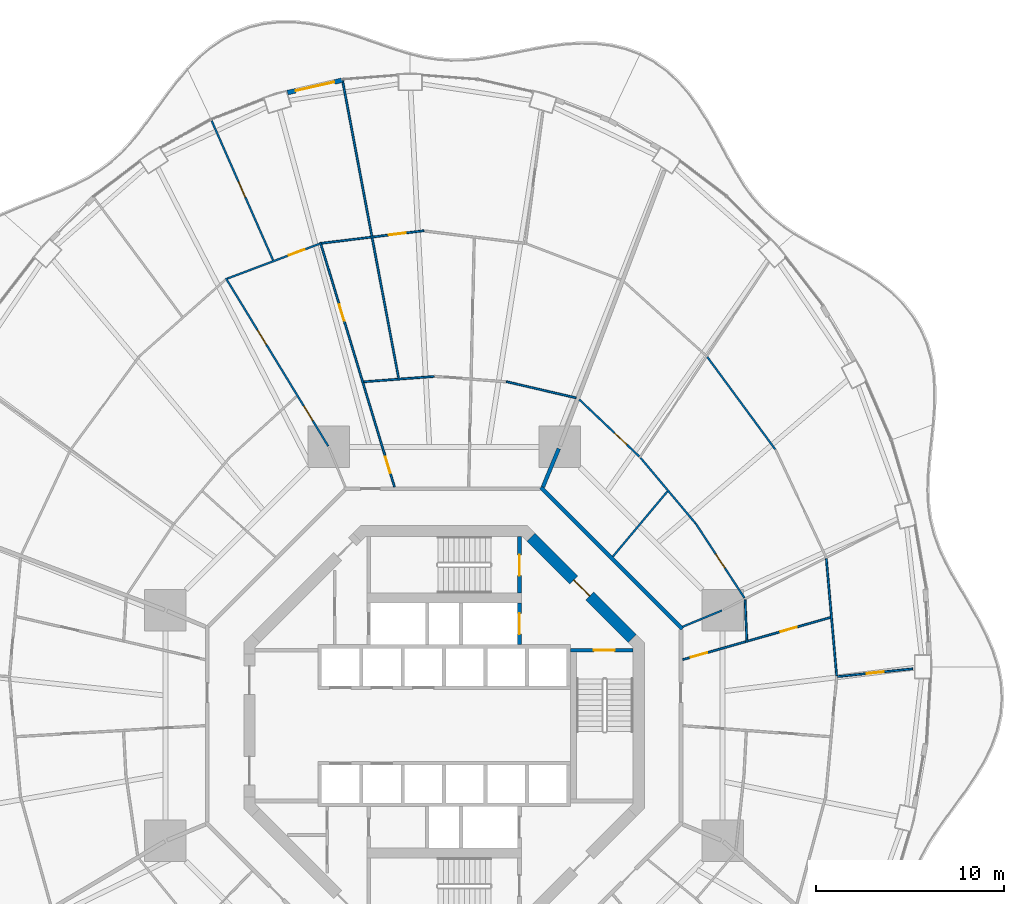
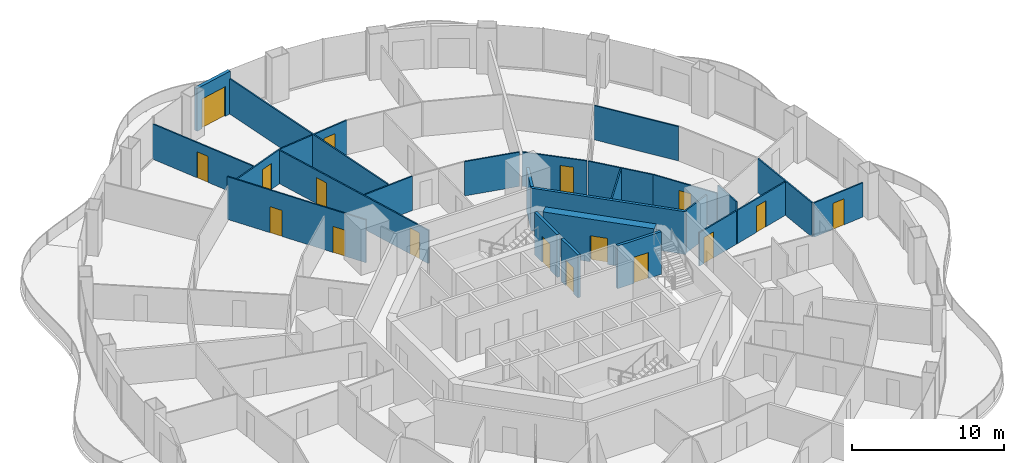
# One storey, part 18 of 22: 25 walls, 17 doors, 17 openings.
"""IFC4 building model written with IfcOpenShell, lengths in metres."""

from ifc_helpers import new_model, si_unit, direction, frame, frame_2d, origin, place, context, subcontext, project, spatial, rectangle, extrude, material, layer, layer_set, type_object, element, fill, save


model = new_model("IFC4")

# Units and contexts
model_context = context("Model", 3, precision=1e-05, world=origin(), true_north=direction((0.0, 1.0)))
body_context = subcontext(model_context, "Body", "Model", "MODEL_VIEW")
ifc_project = project(units=[si_unit("LENGTHUNIT", "METRE"), si_unit("AREAUNIT", "SQUARE_METRE"), si_unit("VOLUMEUNIT", "CUBIC_METRE"), si_unit("PLANEANGLEUNIT", "RADIAN"), si_unit("MASSUNIT", "GRAM", prefix="KILO")], contexts=[model_context])

# Site, building, storey
site_placement = place(None, origin())
site = spatial("IfcSite", under=ifc_project, at=site_placement, CompositionType="ELEMENT")
building_placement = place(site_placement, origin())
building = spatial("IfcBuilding", under=site, at=building_placement, Name="Nagisa Residences", CompositionType="ELEMENT")
storey_placement = place(building_placement, frame((0.0, 0.0, 88.10009765625)))
storey = spatial("IfcBuildingStorey", under=building, at=storey_placement, Name="L21", CompositionType="ELEMENT", Elevation=88.10009765625)

# Walls
ifc_material_1 = material(Name="Gypsum board on steel studs", Category="steel")
ifc_layer_1 = layer(ifc_material_1, 0.199951171875)
ifc_layer_set_1 = layer_set([ifc_layer_1], Name="Apartment compartment wall EI60 200")
wall_type_1 = type_object("IfcWallType", Name="Apartment compartment wall EI60 200", PredefinedType="PARTITIONING", material=ifc_layer_set_1)
wall_1_placement = place(storey_placement, frame((5.24267578125, 12.6572265625, 0.0), z_axis=(0.0, 0.0, 1.0), x_axis=(0.382724096228, 0.923862687939, 0.0)))
element("IfcWall", 1, at=wall_1_placement, inside=storey, type_object=wall_type_1, Name="wall:L21:u00", PredefinedType="PARTITIONING", context=body_context, shape_type="SweptSolid", body=[
    extrude(rectangle(XDim=2.20068359375, YDim=0.199951171875, at=frame_2d((1.100341796875, 0.0))), origin(), (0.0, 0.0, 1.0), 3.43994140625),
])
ifc_material_2 = material(Name="Gypsum board on steel studs", Category="steel")
ifc_layer_2 = layer(ifc_material_2, 0.199951171875)
ifc_layer_set_2 = layer_set([ifc_layer_2], Name="Apartment entry wall EI60 200")
wall_type_2 = type_object("IfcWallType", Name="Apartment entry wall EI60 200", PredefinedType="PARTITIONING", material=ifc_layer_set_2)
wall_2_placement = place(storey_placement, frame((12.635498046875, 5.1337890625, 0.0), z_axis=(0.0, 0.0, 1.0), x_axis=(-0.707106781187, 0.707106781187, 0.0)))
element("IfcWall", 2, at=wall_2_placement, inside=storey, type_object=wall_type_2, Name="wall:L21:u11", PredefinedType="PARTITIONING", context=body_context, shape_type="SweptSolid", body=[
    extrude(rectangle(XDim=10.609130859375, YDim=0.199951171875, at=frame_2d((5.3046875, 0.0))), origin(), (0.0, 0.0, 1.0), 3.43994140625),
])

# Wall, opening, door
ifc_material_3 = material(Name="Gypsum board on steel studs", Category="steel")
ifc_layer_3 = layer(ifc_material_3, 0.10009765625)
ifc_layer_set_3 = layer_set([ifc_layer_3], Name="Apartment partition 100")
wall_type_3 = type_object("IfcWallType", Name="Apartment partition 100", PredefinedType="PARTITIONING", material=ifc_layer_set_3)
wall_3_placement = place(storey_placement, frame((20.879150390625, 2.597412109375, 0.0), z_axis=(0.0, 0.0, 1.0), x_axis=(0.994666546694, 0.103142914868, 0.0)))
wall_3 = element("IfcWall", 3, at=wall_3_placement, inside=storey, type_object=wall_type_3, Name="wall:L21:u18", PredefinedType="PARTITIONING", context=body_context, shape_type="SweptSolid", body=[
    extrude(rectangle(XDim=3.997802734375, YDim=0.10009765625, at=frame_2d((1.9990234375, 0.0))), origin(), (0.0, 0.0, 1.0), 2.761962890625),
])
opening_1_placement = place(wall_3_placement, frame((1.548828125, 0.0, 0.0)))
opening_1 = element("IfcOpeningElement", 4, at=opening_1_placement, cuts=wall_3, Name="Opening L21-U50", PredefinedType="OPENING", context=body_context, shape_type="SweptSolid", body=[
    extrude(rectangle(XDim=0.89990234375, YDim=2.10009765625, at=frame_2d((0.449951171875, 1.050048828125))), frame((0.0, 0.06005859375, 0.0), z_axis=(0.0, -1.0, 0.0), x_axis=(1.0, 0.0, 0.0)), (0.0, 0.0, 1.0), 0.1201171875),
])
ifc_material_4 = material(Name="Timber door set", Category="wood")
door_type_1 = type_object("IfcDoorType", Name="Apartment door 900x2100", OperationType="NOTDEFINED", PredefinedType="DOOR", material=ifc_material_4)
door_1_placement = place(opening_1_placement, origin())
door_1 = element("IfcDoor", 5, at=door_1_placement, inside=storey, type_object=door_type_1, Name="Door to bedroom, Apartment 21E", OperationType="SINGLE_SWING_RIGHT", OverallHeight=2.10009765625, OverallWidth=0.89990234375, PredefinedType="DOOR", context=body_context, shape_type="SweptSolid", body=[
    extrude(rectangle(XDim=0.89990234375, YDim=2.10009765625, at=frame_2d((0.449951171875, 1.050048828125))), frame((0.0, 0.02490234375, 0.0), z_axis=(0.0, -1.0, 0.0), x_axis=(1.0, 0.0, 0.0)), (0.0, 0.0, 1.0), 0.050048828125),
])
fill(opening_1, door_1)

# Wall
wall_4_placement = place(storey_placement, frame((20.8251953125, 2.64208984375, 0.0), z_axis=(0.0, 0.0, 1.0), x_axis=(-0.08776129045, 0.99614153407, 0.0)))
element("IfcWall", 6, at=wall_4_placement, inside=storey, type_object=wall_type_3, Name="wall:L21:u19", PredefinedType="PARTITIONING", context=body_context, shape_type="SweptSolid", body=[
    extrude(rectangle(XDim=6.237060546875, YDim=0.10009765625, at=frame_2d((3.11865234375, 0.0))), origin(), (0.0, 0.0, 1.0), 2.761962890625),
])

# Wall, openings, doors
wall_5_placement = place(storey_placement, frame((12.660888671875, 3.4970703125, 0.0), z_axis=(0.0, 0.0, 1.0), x_axis=(0.961626678623, 0.274361314621, 0.0)))
wall_5 = element("IfcWall", 7, at=wall_5_placement, inside=storey, type_object=wall_type_3, Name="wall:L21:u21", PredefinedType="PARTITIONING", context=body_context, shape_type="SweptSolid", body=[
    extrude(rectangle(XDim=8.155517578125, YDim=0.10009765625, at=frame_2d((4.07763671875, 0.0))), origin(), (0.0, 0.0, 1.0), 2.68701171875),
])
opening_2_placement = place(wall_5_placement, frame((0.4462890625, 0.0, 0.0)))
opening_2 = element("IfcOpeningElement", 8, at=opening_2_placement, cuts=wall_5, Name="Opening L21-U46", PredefinedType="OPENING", context=body_context, shape_type="SweptSolid", body=[
    extrude(rectangle(XDim=0.89990234375, YDim=2.10009765625, at=frame_2d((0.449951171875, 1.050048828125))), frame((0.0, 0.06005859375, 0.0), z_axis=(0.0, -1.0, 0.0), x_axis=(1.0, 0.0, 0.0)), (0.0, 0.0, 1.0), 0.1201171875),
])
opening_3_placement = place(wall_5_placement, frame((5.39013671875, 0.0, 0.0)))
opening_3 = element("IfcOpeningElement", 9, at=opening_3_placement, cuts=wall_5, Name="Opening L21-U48", PredefinedType="OPENING", context=body_context, shape_type="SweptSolid", body=[
    extrude(rectangle(XDim=0.89990234375, YDim=2.10009765625, at=frame_2d((0.449951171875, 1.050048828125))), frame((0.0, 0.06005859375, 0.0), z_axis=(0.0, -1.0, 0.0), x_axis=(1.0, 0.0, 0.0)), (0.0, 0.0, 1.0), 0.1201171875),
])
door_2_placement = place(opening_2_placement, origin())
door_2 = element("IfcDoor", 10, at=door_2_placement, inside=storey, type_object=door_type_1, Name="Door to family bathroom, Apartment 21E", OperationType="SINGLE_SWING_RIGHT", OverallHeight=2.10009765625, OverallWidth=0.89990234375, PredefinedType="DOOR", context=body_context, shape_type="SweptSolid", body=[
    extrude(rectangle(XDim=0.89990234375, YDim=2.10009765625, at=frame_2d((0.449951171875, 1.050048828125))), frame((0.0, 0.02490234375, 0.0), z_axis=(0.0, -1.0, 0.0), x_axis=(1.0, 0.0, 0.0)), (0.0, 0.0, 1.0), 0.050048828125),
])
fill(opening_2, door_2)
door_3_placement = place(opening_3_placement, origin())
door_3 = element("IfcDoor", 11, at=door_3_placement, inside=storey, type_object=door_type_1, Name="Door to family bathroom, Apartment 21E", OperationType="SINGLE_SWING_RIGHT", OverallHeight=2.10009765625, OverallWidth=0.89990234375, PredefinedType="DOOR", context=body_context, shape_type="SweptSolid", body=[
    extrude(rectangle(XDim=0.89990234375, YDim=2.10009765625, at=frame_2d((0.449951171875, 1.050048828125))), frame((0.0, 0.02490234375, 0.0), z_axis=(0.0, -1.0, 0.0), x_axis=(1.0, 0.0, 0.0)), (0.0, 0.0, 1.0), 0.050048828125),
])
fill(opening_3, door_3)

# Walls
wall_6_placement = place(storey_placement, frame((16.064453125, 4.4150390625, 0.0), z_axis=(0.0, 0.0, 1.0), x_axis=(-0.043118325477, 0.999069972528, 0.0)))
element("IfcWall", 12, at=wall_6_placement, inside=storey, type_object=wall_type_3, Name="wall:L21:u22", PredefinedType="PARTITIONING", context=body_context, shape_type="SweptSolid", body=[
    extrude(rectangle(XDim=2.25927734375, YDim=0.10009765625, at=frame_2d((1.129638671875, 0.0))), origin(), (0.0, 0.0, 1.0), 3.43994140625),
])
wall_7_placement = place(storey_placement, frame((12.6572265625, 5.24267578125, 0.0), z_axis=(0.0, 0.0, 1.0), x_axis=(0.923848837015, 0.382757529444, 0.0)))
element("IfcWall", 13, at=wall_7_placement, inside=storey, type_object=wall_type_3, Name="wall:L21:u23", PredefinedType="PARTITIONING", context=body_context, shape_type="SweptSolid", body=[
    extrude(rectangle(XDim=2.249755859375, YDim=0.10009765625, at=frame_2d((1.125, 0.0))), origin(), (0.0, 0.0, 1.0), 3.43994140625),
])

# Wall, opening, door
wall_8_placement = place(storey_placement, frame((15.9375, 6.763916015625, 0.0), z_axis=(0.0, 0.0, 1.0), x_axis=(-0.547472878942, 0.836823426311, 0.0)))
wall_8 = element("IfcWall", 14, at=wall_8_placement, inside=storey, type_object=wall_type_3, Name="wall:L21:u25", PredefinedType="PARTITIONING", context=body_context, shape_type="SweptSolid", body=[
    extrude(rectangle(XDim=4.73779296875, YDim=0.10009765625, at=frame_2d((2.368896484375, 0.0))), origin(), (0.0, 0.0, 1.0), 2.761962890625),
])
opening_4_placement = place(wall_8_placement, frame((1.893798828125, 0.0, 0.0)))
opening_4 = element("IfcOpeningElement", 15, at=opening_4_placement, cuts=wall_8, Name="Opening L21-U55", PredefinedType="OPENING", context=body_context, shape_type="SweptSolid", body=[
    extrude(rectangle(XDim=0.89990234375, YDim=2.10009765625, at=frame_2d((0.449951171875, 1.050048828125))), frame((0.0, 0.06005859375, 0.0), z_axis=(0.0, -1.0, 0.0), x_axis=(1.0, 0.0, 0.0)), (0.0, 0.0, 1.0), 0.1201171875),
])
door_4_placement = place(opening_4_placement, origin())
door_4 = element("IfcDoor", 16, at=door_4_placement, inside=storey, type_object=door_type_1, Name="Door to store, Apartment 21E", OperationType="SINGLE_SWING_LEFT", OverallHeight=2.10009765625, OverallWidth=0.89990234375, PredefinedType="DOOR", context=body_context, shape_type="SweptSolid", body=[
    extrude(rectangle(XDim=0.89990234375, YDim=2.10009765625, at=frame_2d((0.449951171875, 1.050048828125))), frame((0.0, 0.02490234375, 0.0), z_axis=(0.0, -1.0, 0.0), x_axis=(1.0, 0.0, 0.0)), (0.0, 0.0, 1.0), 0.050048828125),
])
fill(opening_4, door_4)

# Walls
wall_9_placement = place(storey_placement, frame((13.339111328125, 10.724853515625, 0.0), z_axis=(0.0, 0.0, 1.0), x_axis=(-0.642515455924, 0.766272724882, 0.0)))
element("IfcWall", 17, at=wall_9_placement, inside=storey, type_object=wall_type_3, Name="wall:L21:u27", PredefinedType="PARTITIONING", context=body_context, shape_type="SweptSolid", body=[
    extrude(rectangle(XDim=4.537353515625, YDim=0.10009765625, at=frame_2d((2.2685546875, 0.0))), origin(), (0.0, 0.0, 1.0), 2.761962890625),
])
wall_10_placement = place(storey_placement, frame((17.567138671875, 14.65283203125, 0.0), z_axis=(0.0, 0.0, 1.0), x_axis=(-0.592391983588, 0.80564988536, 0.0)))
element("IfcWall", 18, at=wall_10_placement, inside=storey, type_object=wall_type_3, Name="wall:L21:u28", PredefinedType="PARTITIONING", context=body_context, shape_type="SweptSolid", body=[
    extrude(rectangle(XDim=6.080078125, YDim=0.10009765625, at=frame_2d((3.0400390625, 0.0))), origin(), (0.0, 0.0, 1.0), 2.761962890625),
])
wall_11_placement = place(storey_placement, frame((8.94873046875, 8.961181640625, 0.0), z_axis=(0.0, 0.0, 1.0), x_axis=(0.642048217601, 0.766664259162, 0.0)))
element("IfcWall", 19, at=wall_11_placement, inside=storey, type_object=wall_type_3, Name="wall:L21:u29", PredefinedType="PARTITIONING", context=body_context, shape_type="SweptSolid", body=[
    extrude(rectangle(XDim=4.517822265625, YDim=0.10009765625, at=frame_2d((2.2587890625, 0.0))), origin(), (0.0, 0.0, 1.0), 2.68701171875),
])

# Wall, opening, door
wall_12_placement = place(storey_placement, frame((10.35546875, 14.274169921875, 0.0), z_axis=(0.0, 0.0, 1.0), x_axis=(-0.725206433622, 0.688531501555, 0.0)))
wall_12 = element("IfcWall", 20, at=wall_12_placement, inside=storey, type_object=wall_type_3, Name="wall:L21:u31", PredefinedType="PARTITIONING", context=body_context, shape_type="SweptSolid", body=[
    extrude(rectangle(XDim=4.386962890625, YDim=0.10009765625, at=frame_2d((2.193359375, 0.0))), origin(), (0.0, 0.0, 1.0), 2.761962890625),
])
opening_5_placement = place(wall_12_placement, frame((0.907470703125, 0.0, 0.0)))
opening_5 = element("IfcOpeningElement", 21, at=opening_5_placement, cuts=wall_12, Name="Opening L21-U56", PredefinedType="OPENING", context=body_context, shape_type="SweptSolid", body=[
    extrude(rectangle(XDim=0.89990234375, YDim=2.10009765625, at=frame_2d((0.449951171875, 1.050048828125))), frame((0.0, 0.06005859375, 0.0), z_axis=(0.0, -1.0, 0.0), x_axis=(1.0, 0.0, 0.0)), (0.0, 0.0, 1.0), 0.1201171875),
])
door_5_placement = place(opening_5_placement, origin())
door_5 = element("IfcDoor", 22, at=door_5_placement, inside=storey, type_object=door_type_1, Name="Door to laundry, Apartment 21E", OperationType="SINGLE_SWING_RIGHT", OverallHeight=2.10009765625, OverallWidth=0.89990234375, PredefinedType="DOOR", context=body_context, shape_type="SweptSolid", body=[
    extrude(rectangle(XDim=0.89990234375, YDim=2.10009765625, at=frame_2d((0.449951171875, 1.050048828125))), frame((0.0, 0.02490234375, 0.0), z_axis=(0.0, -1.0, 0.0), x_axis=(1.0, 0.0, 0.0)), (0.0, 0.0, 1.0), 0.050048828125),
])
fill(opening_5, door_5)

# Walls
wall_13_placement = place(storey_placement, frame((7.004150390625, 17.385986328125, 0.0), z_axis=(0.0, 0.0, 1.0), x_axis=(-0.974179728512, 0.225773905837, 0.0)))
element("IfcWall", 23, at=wall_13_placement, inside=storey, type_object=wall_type_3, Name="wall:L21:u33", PredefinedType="PARTITIONING", context=body_context, shape_type="SweptSolid", body=[
    extrude(rectangle(XDim=3.802001953125, YDim=0.10009765625, at=frame_2d((1.90087890625, 0.0))), origin(), (0.0, 0.0, 1.0), 2.761962890625),
])
wall_14_placement = place(storey_placement, frame((-0.535888671875, 18.519287109375, 0.0), z_axis=(0.0, 0.0, 1.0), x_axis=(-0.99715294352, -0.075405618017, 0.0)))
element("IfcWall", 24, at=wall_14_placement, inside=storey, type_object=wall_type_3, Name="wall:L21:u39", PredefinedType="PARTITIONING", context=body_context, shape_type="SweptSolid", body=[
    extrude(rectangle(XDim=3.74609375, YDim=0.10009765625, at=frame_2d((1.873046875, 0.0))), origin(), (0.0, 0.0, 1.0), 2.761962890625),
])

# Wall, opening, door
wall_15_placement = place(storey_placement, frame((-1.06640625, 26.2529296875, 0.0), z_axis=(0.0, 0.0, 1.0), x_axis=(-0.992574853421, -0.121635358166, 0.0)))
wall_15 = element("IfcWall", 25, at=wall_15_placement, inside=storey, type_object=wall_type_3, Name="wall:L21:u40", PredefinedType="PARTITIONING", context=body_context, shape_type="SweptSolid", body=[
    extrude(rectangle(XDim=5.473388671875, YDim=0.10009765625, at=frame_2d((2.73681640625, 0.0))), origin(), (0.0, 0.0, 1.0), 2.761962890625),
])
opening_6_placement = place(wall_15_placement, frame((0.968505859375, 0.0, 0.0)))
opening_6 = element("IfcOpeningElement", 26, at=opening_6_placement, cuts=wall_15, Name="Opening L21-U09", PredefinedType="OPENING", context=body_context, shape_type="SweptSolid", body=[
    extrude(rectangle(XDim=0.89990234375, YDim=2.10009765625, at=frame_2d((0.449951171875, 1.050048828125))), frame((0.0, 0.06005859375, 0.0), z_axis=(0.0, -1.0, 0.0), x_axis=(1.0, 0.0, 0.0)), (0.0, 0.0, 1.0), 0.1201171875),
])
door_6_placement = place(opening_6_placement, frame((0.89990234375, 0.0, 0.0), x_axis=(-1.0, 0.0, 0.0)))
door_6 = element("IfcDoor", 27, at=door_6_placement, inside=storey, type_object=door_type_1, Name="Door to dining room, Apartment 21A", OperationType="SINGLE_SWING_RIGHT", OverallHeight=2.10009765625, OverallWidth=0.89990234375, PredefinedType="DOOR", context=body_context, shape_type="SweptSolid", body=[
    extrude(rectangle(XDim=0.89990234375, YDim=2.10009765625, at=frame_2d((0.449951171875, 1.050048828125))), frame((0.0, 0.02490234375, 0.0), z_axis=(0.0, -1.0, 0.0), x_axis=(1.0, 0.0, 0.0)), (0.0, 0.0, 1.0), 0.050048828125),
])
fill(opening_6, door_6)

# Wall
wall_16_placement = place(storey_placement, frame((-2.412841796875, 18.42724609375, 0.0), z_axis=(0.0, 0.0, 1.0), x_axis=(-0.185126823719, 0.982714637695, 0.0)))
element("IfcWall", 28, at=wall_16_placement, inside=storey, type_object=wall_type_3, Name="wall:L21:u41", PredefinedType="PARTITIONING", context=body_context, shape_type="SweptSolid", body=[
    extrude(rectangle(XDim=16.176025390625, YDim=0.10009765625, at=frame_2d((8.087890625, 0.0))), origin(), (0.0, 0.0, 1.0), 2.8369140625),
])

# Wall, openings, doors
wall_17_placement = place(storey_placement, frame((-2.63134765625, 12.660400390625, 0.0), z_axis=(0.0, 0.0, 1.0), x_axis=(-0.290161396499, 0.956977723869, 0.0)))
wall_17 = element("IfcWall", 29, at=wall_17_placement, inside=storey, type_object=wall_type_3, Name="wall:L21:u42", PredefinedType="PARTITIONING", context=body_context, shape_type="SweptSolid", body=[
    extrude(rectangle(XDim=13.551513671875, YDim=0.10009765625, at=frame_2d((6.77587890625, 0.0))), origin(), (0.0, 0.0, 1.0), 2.68701171875),
])
opening_7_placement = place(wall_17_placement, frame((0.772216796875, 0.0, 0.0)))
opening_7 = element("IfcOpeningElement", 30, at=opening_7_placement, cuts=wall_17, Name="Opening L21-U02", PredefinedType="OPENING", context=body_context, shape_type="SweptSolid", body=[
    extrude(rectangle(XDim=0.89990234375, YDim=2.10009765625, at=frame_2d((0.449951171875, 1.050048828125))), frame((0.0, 0.06005859375, 0.0), z_axis=(0.0, -1.0, 0.0), x_axis=(1.0, 0.0, 0.0)), (0.0, 0.0, 1.0), 0.1201171875),
])
opening_8_placement = place(wall_17_placement, frame((9.21240234375, 0.0, 0.0)))
opening_8 = element("IfcOpeningElement", 31, at=opening_8_placement, cuts=wall_17, Name="Opening L21-U06", PredefinedType="OPENING", context=body_context, shape_type="SweptSolid", body=[
    extrude(rectangle(XDim=0.89990234375, YDim=2.10009765625, at=frame_2d((0.449951171875, 1.050048828125))), frame((0.0, 0.06005859375, 0.0), z_axis=(0.0, -1.0, 0.0), x_axis=(1.0, 0.0, 0.0)), (0.0, 0.0, 1.0), 0.1201171875),
])
door_7_placement = place(opening_7_placement, frame((0.89990234375, 0.0, 0.0), x_axis=(-1.0, 0.0, 0.0)))
door_7 = element("IfcDoor", 32, at=door_7_placement, inside=storey, type_object=door_type_1, Name="Door to store, Apartment 21A", OperationType="SINGLE_SWING_LEFT", OverallHeight=2.10009765625, OverallWidth=0.89990234375, PredefinedType="DOOR", context=body_context, shape_type="SweptSolid", body=[
    extrude(rectangle(XDim=0.89990234375, YDim=2.10009765625, at=frame_2d((0.449951171875, 1.050048828125))), frame((0.0, 0.02490234375, 0.0), z_axis=(0.0, -1.0, 0.0), x_axis=(1.0, 0.0, 0.0)), (0.0, 0.0, 1.0), 0.050048828125),
])
fill(opening_7, door_7)
door_8_placement = place(opening_8_placement, frame((0.89990234375, 0.0, 0.0), x_axis=(-1.0, 0.0, 0.0)))
door_8 = element("IfcDoor", 33, at=door_8_placement, inside=storey, type_object=door_type_1, Name="Door to family bathroom, Apartment 21A", OperationType="SINGLE_SWING_LEFT", OverallHeight=2.10009765625, OverallWidth=0.89990234375, PredefinedType="DOOR", context=body_context, shape_type="SweptSolid", body=[
    extrude(rectangle(XDim=0.89990234375, YDim=2.10009765625, at=frame_2d((0.449951171875, 1.050048828125))), frame((0.0, 0.02490234375, 0.0), z_axis=(0.0, -1.0, 0.0), x_axis=(1.0, 0.0, 0.0)), (0.0, 0.0, 1.0), 0.050048828125),
])
fill(opening_8, door_8)

# Wall, opening, door
wall_18_placement = place(storey_placement, frame((-6.595703125, 25.5634765625, 0.0), z_axis=(0.0, 0.0, 1.0), x_axis=(-0.9356162121, -0.353018843201, 0.0)))
wall_18 = element("IfcWall", 34, at=wall_18_placement, inside=storey, type_object=wall_type_3, Name="wall:L21:u43", PredefinedType="PARTITIONING", context=body_context, shape_type="SweptSolid", body=[
    extrude(rectangle(XDim=5.2490234375, YDim=0.10009765625, at=frame_2d((2.62451171875, 0.0))), origin(), (0.0, 0.0, 1.0), 2.761962890625),
])
opening_9_placement = place(wall_18_placement, frame((0.8623046875, 0.0, 0.0)))
opening_9 = element("IfcOpeningElement", 35, at=opening_9_placement, cuts=wall_18, Name="Opening L21-U10", PredefinedType="OPENING", context=body_context, shape_type="SweptSolid", body=[
    extrude(rectangle(XDim=0.89990234375, YDim=2.10009765625, at=frame_2d((0.449951171875, 1.050048828125))), frame((0.0, 0.06005859375, 0.0), z_axis=(0.0, -1.0, 0.0), x_axis=(1.0, 0.0, 0.0)), (0.0, 0.0, 1.0), 0.1201171875),
])
door_9_placement = place(opening_9_placement, frame((0.89990234375, 0.0, 0.0), x_axis=(-1.0, 0.0, 0.0)))
door_9 = element("IfcDoor", 36, at=door_9_placement, inside=storey, type_object=door_type_1, Name="Door to living room, Apartment 21A", OperationType="SINGLE_SWING_LEFT", OverallHeight=2.10009765625, OverallWidth=0.89990234375, PredefinedType="DOOR", context=body_context, shape_type="SweptSolid", body=[
    extrude(rectangle(XDim=0.89990234375, YDim=2.10009765625, at=frame_2d((0.449951171875, 1.050048828125))), frame((0.0, 0.02490234375, 0.0), z_axis=(0.0, -1.0, 0.0), x_axis=(1.0, 0.0, 0.0)), (0.0, 0.0, 1.0), 0.050048828125),
])
fill(opening_9, door_9)

wall_19_placement = place(storey_placement, frame((-9.071533203125, 24.682861328125, 0.0), z_axis=(0.0, 0.0, 1.0), x_axis=(-0.403192911159, 0.915115007194, 0.0)))
wall_19 = element("IfcWall", 37, at=wall_19_placement, inside=storey, type_object=wall_type_3, Name="wall:L21:u44", PredefinedType="PARTITIONING", context=body_context, shape_type="SweptSolid", body=[
    extrude(rectangle(XDim=8.21142578125, YDim=0.10009765625, at=frame_2d((4.105712890625, 0.0))), origin(), (0.0, 0.0, 1.0), 2.8369140625),
])
opening_10_placement = place(wall_19_placement, frame((3.65576171875, 0.0, 0.0)))
opening_10 = element("IfcOpeningElement", 38, at=opening_10_placement, cuts=wall_19, Name="Opening L21-U11", PredefinedType="OPENING", context=body_context, shape_type="SweptSolid", body=[
    extrude(rectangle(XDim=0.89990234375, YDim=2.10009765625, at=frame_2d((0.449951171875, 1.050048828125))), frame((0.0, 0.06005859375, 0.0), z_axis=(0.0, -1.0, 0.0), x_axis=(1.0, 0.0, 0.0)), (0.0, 0.0, 1.0), 0.1201171875),
])
door_10_placement = place(opening_10_placement, origin())
door_10 = element("IfcDoor", 39, at=door_10_placement, inside=storey, type_object=door_type_1, Name="Door to master bedroom, Apartment 21A", OperationType="SINGLE_SWING_LEFT", OverallHeight=2.10009765625, OverallWidth=0.89990234375, PredefinedType="DOOR", context=body_context, shape_type="SweptSolid", body=[
    extrude(rectangle(XDim=0.89990234375, YDim=2.10009765625, at=frame_2d((0.449951171875, 1.050048828125))), frame((0.0, 0.02490234375, 0.0), z_axis=(0.0, -1.0, 0.0), x_axis=(1.0, 0.0, 0.0)), (0.0, 0.0, 1.0), 0.050048828125),
])
fill(opening_10, door_10)

# Wall, openings, doors
wall_20_placement = place(storey_placement, frame((-6.14892578125, 14.82470703125, 0.0), z_axis=(0.0, 0.0, 1.0), x_axis=(-0.520411490252, 0.853915616917, 0.0)))
wall_20 = element("IfcWall", 40, at=wall_20_placement, inside=storey, type_object=wall_type_3, Name="wall:L21:u46", PredefinedType="PARTITIONING", context=body_context, shape_type="SweptSolid", body=[
    extrude(rectangle(XDim=10.435302734375, YDim=0.10009765625, at=frame_2d((5.2177734375, 0.0))), origin(), (0.0, 0.0, 1.0), 3.43994140625),
])
opening_11_placement = place(wall_20_placement, frame((1.58154296875, 0.0, 0.0)))
opening_11 = element("IfcOpeningElement", 41, at=opening_11_placement, cuts=wall_20, Name="Opening L21-U03", PredefinedType="OPENING", context=body_context, shape_type="SweptSolid", body=[
    extrude(rectangle(XDim=0.89990234375, YDim=2.10009765625, at=frame_2d((0.449951171875, 1.050048828125))), frame((0.0, 0.06005859375, 0.0), z_axis=(0.0, -1.0, 0.0), x_axis=(1.0, 0.0, 0.0)), (0.0, 0.0, 1.0), 0.1201171875),
])
opening_12_placement = place(wall_20_placement, frame((6.3125, 0.0, 0.0)))
opening_12 = element("IfcOpeningElement", 42, at=opening_12_placement, cuts=wall_20, Name="Opening L21-U07", PredefinedType="OPENING", context=body_context, shape_type="SweptSolid", body=[
    extrude(rectangle(XDim=0.89990234375, YDim=2.10009765625, at=frame_2d((0.449951171875, 1.050048828125))), frame((0.0, 0.06005859375, 0.0), z_axis=(0.0, -1.0, 0.0), x_axis=(1.0, 0.0, 0.0)), (0.0, 0.0, 1.0), 0.1201171875),
])
door_11_placement = place(opening_11_placement, origin())
door_11 = element("IfcDoor", 43, at=door_11_placement, inside=storey, type_object=door_type_1, Name="Door to store, Apartment 21A", OperationType="SINGLE_SWING_LEFT", OverallHeight=2.10009765625, OverallWidth=0.89990234375, PredefinedType="DOOR", context=body_context, shape_type="SweptSolid", body=[
    extrude(rectangle(XDim=0.89990234375, YDim=2.10009765625, at=frame_2d((0.449951171875, 1.050048828125))), frame((0.0, 0.02490234375, 0.0), z_axis=(0.0, -1.0, 0.0), x_axis=(1.0, 0.0, 0.0)), (0.0, 0.0, 1.0), 0.050048828125),
])
fill(opening_11, door_11)
door_12_placement = place(opening_12_placement, origin())
door_12 = element("IfcDoor", 44, at=door_12_placement, inside=storey, type_object=door_type_1, Name="Door to dining room, Apartment 21A", OperationType="SINGLE_SWING_LEFT", OverallHeight=2.10009765625, OverallWidth=0.89990234375, PredefinedType="DOOR", context=body_context, shape_type="SweptSolid", body=[
    extrude(rectangle(XDim=0.89990234375, YDim=2.10009765625, at=frame_2d((0.449951171875, 1.050048828125))), frame((0.0, 0.02490234375, 0.0), z_axis=(0.0, -1.0, 0.0), x_axis=(1.0, 0.0, 0.0)), (0.0, 0.0, 1.0), 0.050048828125),
])
fill(opening_12, door_12)

# Wall, opening, door
ifc_material_5 = material(Name="Precast concrete C40/50", Category="concrete")
ifc_layer_4 = layer(ifc_material_5, 0.25)
ifc_layer_set_4 = layer_set([ifc_layer_4], Name="BALCONY DOOR WALL 250")
wall_type_4 = type_object("IfcWallType", Name="BALCONY DOOR WALL 250", PredefinedType="SOLIDWALL", material=ifc_layer_set_4)
wall_21_placement = place(storey_placement, frame((-8.306396484375, 33.580322265625, 0.0), z_axis=(0.0, 0.0, 1.0), x_axis=(0.975317607872, 0.220806620767, 0.0)))
wall_21 = element("IfcWall", 45, at=wall_21_placement, inside=storey, type_object=wall_type_4, Name="wall:L21:bay13", PredefinedType="SOLIDWALL", context=body_context, shape_type="SweptSolid", body=[
    extrude(rectangle(XDim=2.9931640625, YDim=0.25, at=frame_2d((1.49658203125, 0.0))), origin(), (0.0, 0.0, 1.0), 3.43994140625),
])
opening_13_placement = place(wall_21_placement, frame((0.446533203125, 0.0, 0.0)))
opening_13 = element("IfcOpeningElement", 46, at=opening_13_placement, cuts=wall_21, Name="Opening BD-L21-05", PredefinedType="OPENING", context=body_context, shape_type="SweptSolid", body=[
    extrude(rectangle(XDim=2.10009765625, YDim=2.39990234375, at=frame_2d((1.050048828125, 1.199951171875))), frame((0.0, 0.135009765625, 0.0), z_axis=(0.0, -1.0, 0.0), x_axis=(1.0, 0.0, 0.0)), (0.0, 0.0, 1.0), 0.27001953125),
])
ifc_material_6 = material(Name="Aluminium and clear glass", Category="aluminium")
door_type_2 = type_object("IfcDoorType", Name="BALCONY SLIDING DOOR 2100x2400", OperationType="SLIDING_TO_LEFT", PredefinedType="DOOR", material=ifc_material_6)
door_13_placement = place(opening_13_placement, origin())
door_13 = element("IfcDoor", 47, at=door_13_placement, inside=storey, type_object=door_type_2, Name="door:L21:bay13", OperationType="SLIDING_TO_LEFT", OverallHeight=2.39990234375, OverallWidth=2.10009765625, PredefinedType="DOOR", context=body_context, shape_type="SweptSolid", body=[
    extrude(rectangle(XDim=2.10009765625, YDim=2.39990234375, at=frame_2d((1.050048828125, 1.199951171875))), frame((0.0, 0.02490234375, 0.0), z_axis=(0.0, -1.0, 0.0), x_axis=(1.0, 0.0, 0.0)), (0.0, 0.0, 1.0), 0.050048828125),
])
fill(opening_13, door_13)

ifc_material_7 = material(Name="Concrete C60", Category="concrete")
ifc_layer_5 = layer(ifc_material_7, 0.60009765625)
ifc_layer_set_5 = layer_set([ifc_layer_5], Name="Core shear wall 600")
wall_type_5 = type_object("IfcWallType", Name="Core shear wall 600", PredefinedType="SHEAR", material=ifc_layer_set_5)
wall_22_placement = place(storey_placement, frame((9.98828125, 4.613037109375, 0.0), z_axis=(0.0, 0.0, 1.0), x_axis=(-0.707106781187, 0.707106781187, 0.0)))
wall_22 = element("IfcWall", 48, at=wall_22_placement, inside=storey, type_object=wall_type_5, Name="wall:L21:core:flat1", PredefinedType="SHEAR", context=body_context, shape_type="SweptSolid", body=[
    extrude(rectangle(XDim=7.601806640625, YDim=0.60009765625, at=frame_2d((3.80078125, 0.0))), origin(), (0.0, 0.0, 1.0), 3.43994140625),
])
opening_14_placement = place(wall_22_placement, frame((3.200927734375, 0.0, 0.0)))
opening_14 = element("IfcOpeningElement", 49, at=opening_14_placement, cuts=wall_22, Name="Opening L21-C16", PredefinedType="OPENING", context=body_context, shape_type="SweptSolid", body=[
    extrude(rectangle(XDim=1.199951171875, YDim=2.10009765625, at=frame_2d((0.60009765625, 1.050048828125))), frame((0.0, 0.31005859375, 0.0), z_axis=(0.0, -1.0, 0.0), x_axis=(1.0, 0.0, 0.0)), (0.0, 0.0, 1.0), 0.6201171875),
])
ifc_material_8 = material(Name="Steel fire door", Category="steel")
door_type_3 = type_object("IfcDoorType", Name="Fire door EI60 1200x2100 single swing", OperationType="NOTDEFINED", PredefinedType="DOOR", material=ifc_material_8)
door_14_placement = place(opening_14_placement, origin())
door_14 = element("IfcDoor", 50, at=door_14_placement, inside=storey, type_object=door_type_3, Name="Firefighting lobby 1 door L21", OperationType="SINGLE_SWING_LEFT", OverallHeight=2.10009765625, OverallWidth=1.199951171875, PredefinedType="DOOR", context=body_context, shape_type="SweptSolid", body=[
    extrude(rectangle(XDim=1.199951171875, YDim=2.10009765625, at=frame_2d((0.60009765625, 1.050048828125))), frame((0.0, 0.02490234375, 0.0), z_axis=(0.0, -1.0, 0.0), x_axis=(1.0, 0.0, 0.0)), (0.0, 0.0, 1.0), 0.050048828125),
])
fill(opening_14, door_14)

ifc_material_9 = material(Name="Concrete C60", Category="concrete")
ifc_layer_6 = layer(ifc_material_9, 0.199951171875)
ifc_layer_set_6 = layer_set([ifc_layer_6], Name="Lift shaft wall 200")
wall_type_6 = type_object("IfcWallType", Name="Lift shaft wall 200", PredefinedType="SOLIDWALL", material=ifc_layer_set_6)
wall_23_placement = place(storey_placement, frame((4.0, 4.300048828125, 0.0), z_axis=(0.0, 0.0, 1.0), x_axis=(0.0, 1.0, 0.0)))
wall_23 = element("IfcWall", 51, at=wall_23_placement, inside=storey, type_object=wall_type_6, Name="wall:L21:Nb3", PredefinedType="SOLIDWALL", context=body_context, shape_type="SweptSolid", body=[
    extrude(rectangle(XDim=2.199951171875, YDim=0.199951171875, at=frame_2d((1.10009765625, 0.0))), origin(), (0.0, 0.0, 1.0), 3.43994140625),
])
opening_15_placement = place(wall_23_placement, frame((0.550048828125, 0.0, 0.0)))
opening_15 = element("IfcOpeningElement", 52, at=opening_15_placement, cuts=wall_23, Name="Opening L21-C06", PredefinedType="OPENING", context=body_context, shape_type="SweptSolid", body=[
    extrude(rectangle(XDim=1.10009765625, YDim=2.10009765625, at=frame_2d((0.550048828125, 1.050048828125))), frame((0.0, 0.10986328125, 0.0), z_axis=(0.0, -1.0, 0.0), x_axis=(1.0, 0.0, 0.0)), (0.0, 0.0, 1.0), 0.219970703125),
])
ifc_material_10 = material(Name="Stainless steel", Category="steel")
door_type_4 = type_object("IfcDoorType", Name="Lift landing door 1100x2100", OperationType="DOUBLE_DOOR_SLIDING", PredefinedType="DOOR", material=ifc_material_10)
door_15_placement = place(opening_15_placement, origin())
door_15 = element("IfcDoor", 53, at=door_15_placement, inside=storey, type_object=door_type_4, Name="Landing door FL1 L21", OperationType="DOUBLE_DOOR_SLIDING", OverallHeight=2.10009765625, OverallWidth=1.10009765625, PredefinedType="DOOR", context=body_context, shape_type="SweptSolid", body=[
    extrude(rectangle(XDim=1.10009765625, YDim=2.10009765625, at=frame_2d((0.550048828125, 1.050048828125))), frame((0.0, 0.02490234375, 0.0), z_axis=(0.0, -1.0, 0.0), x_axis=(1.0, 0.0, 0.0)), (0.0, 0.0, 1.0), 0.050048828125),
])
fill(opening_15, door_15)

ifc_material_11 = material(Name="Concrete C60", Category="concrete")
ifc_layer_7 = layer(ifc_material_11, 0.199951171875)
ifc_layer_set_7 = layer_set([ifc_layer_7], Name="Stair enclosure wall 200")
wall_type_7 = type_object("IfcWallType", Name="Stair enclosure wall 200", PredefinedType="SOLIDWALL", material=ifc_layer_set_7)
wall_24_placement = place(storey_placement, frame((6.699951171875, 4.0, 0.0), z_axis=(0.0, 0.0, 1.0), x_axis=(1.0, 0.0, 0.0)))
wall_24 = element("IfcWall", 54, at=wall_24_placement, inside=storey, type_object=wall_type_7, Name="wall:L21:SE_n", PredefinedType="SOLIDWALL", context=body_context, shape_type="SweptSolid", body=[
    extrude(rectangle(XDim=3.32470703125, YDim=0.199951171875, at=frame_2d((1.662353515625, 0.0))), origin(), (0.0, 0.0, 1.0), 3.43994140625),
])
opening_16_placement = place(wall_24_placement, frame((1.25, 0.0, 0.0)))
opening_16 = element("IfcOpeningElement", 55, at=opening_16_placement, cuts=wall_24, Name="Opening L21-C09", PredefinedType="OPENING", context=body_context, shape_type="SweptSolid", body=[
    extrude(rectangle(XDim=1.10009765625, YDim=2.10009765625, at=frame_2d((0.550048828125, 1.050048828125))), frame((0.0, 0.10986328125, 0.0), z_axis=(0.0, -1.0, 0.0), x_axis=(1.0, 0.0, 0.0)), (0.0, 0.0, 1.0), 0.219970703125),
])
ifc_material_12 = material(Name="Steel fire door", Category="steel")
door_type_5 = type_object("IfcDoorType", Name="Fire door EI90 1100x2100 single swing", OperationType="NOTDEFINED", PredefinedType="DOOR", material=ifc_material_12)
door_16_placement = place(opening_16_placement, frame((1.10009765625, 0.0, 0.0), x_axis=(-1.0, 0.0, 0.0)))
door_16 = element("IfcDoor", 56, at=door_16_placement, inside=storey, type_object=door_type_5, Name="Stair door ST-E L21", OperationType="SINGLE_SWING_RIGHT", OverallHeight=2.10009765625, OverallWidth=1.10009765625, PredefinedType="DOOR", context=body_context, shape_type="SweptSolid", body=[
    extrude(rectangle(XDim=1.10009765625, YDim=2.10009765625, at=frame_2d((0.550048828125, 1.050048828125))), frame((0.0, 0.02490234375, 0.0), z_axis=(0.0, -1.0, 0.0), x_axis=(1.0, 0.0, 0.0)), (0.0, 0.0, 1.0), 0.050048828125),
])
fill(opening_16, door_16)

wall_25_placement = place(storey_placement, frame((4.0, 7.024658203125, 0.0), z_axis=(0.0, 0.0, 1.0), x_axis=(0.0, 1.0, 0.0)))
wall_25 = element("IfcWall", 57, at=wall_25_placement, inside=storey, type_object=wall_type_7, Name="wall:L21:SN_e", PredefinedType="SOLIDWALL", context=body_context, shape_type="SweptSolid", body=[
    extrude(rectangle(XDim=3.0, YDim=0.199951171875, at=frame_2d((1.5, 0.0))), origin(), (0.0, 0.0, 1.0), 3.43994140625),
])
opening_17_placement = place(wall_25_placement, frame((0.92529296875, 0.0, 0.0)))
opening_17 = element("IfcOpeningElement", 58, at=opening_17_placement, cuts=wall_25, Name="Opening L21-C10", PredefinedType="OPENING", context=body_context, shape_type="SweptSolid", body=[
    extrude(rectangle(XDim=1.10009765625, YDim=2.10009765625, at=frame_2d((0.550048828125, 1.050048828125))), frame((0.0, 0.10986328125, 0.0), z_axis=(0.0, -1.0, 0.0), x_axis=(1.0, 0.0, 0.0)), (0.0, 0.0, 1.0), 0.219970703125),
])
door_17_placement = place(opening_17_placement, origin())
door_17 = element("IfcDoor", 59, at=door_17_placement, inside=storey, type_object=door_type_5, Name="Stair door ST-N L21", OperationType="SINGLE_SWING_LEFT", OverallHeight=2.10009765625, OverallWidth=1.10009765625, PredefinedType="DOOR", context=body_context, shape_type="SweptSolid", body=[
    extrude(rectangle(XDim=1.10009765625, YDim=2.10009765625, at=frame_2d((0.550048828125, 1.050048828125))), frame((0.0, 0.02490234375, 0.0), z_axis=(0.0, -1.0, 0.0), x_axis=(1.0, 0.0, 0.0)), (0.0, 0.0, 1.0), 0.050048828125),
])
fill(opening_17, door_17)

save(model, "model.ifc")
